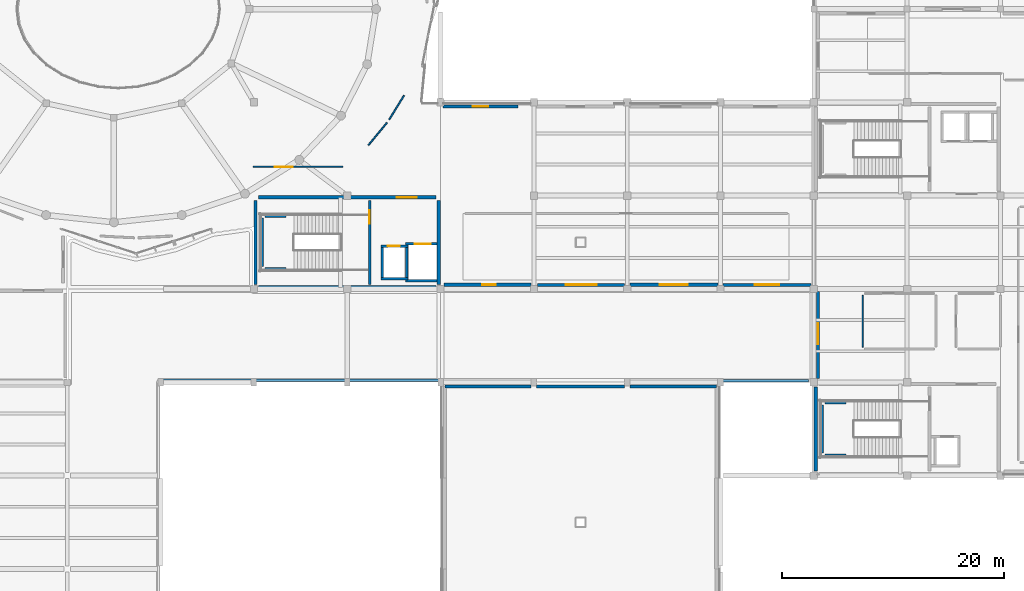
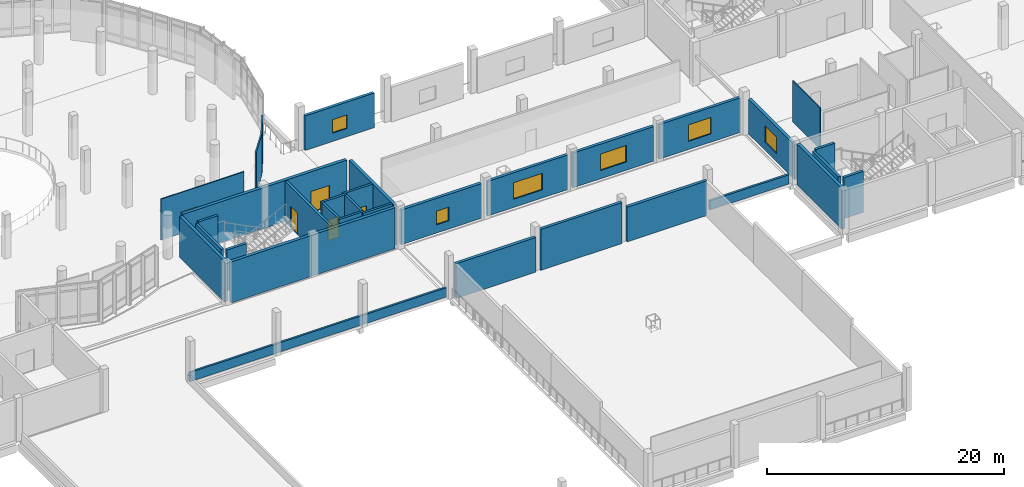
# One storey, part 28 of 46: 33 walls, 6 windows, 5 doors, 11 openings.
"""IFC4 building model written with IfcOpenShell, lengths in metres."""

from ifc_helpers import new_model, si_unit, derived_unit, direction, frame, frame_2d, origin, place, context, subcontext, project, spatial, rectangle, extrude, material, layer, layer_set, type_object, element, fill, save


model = new_model("IFC4")

# Units and contexts
model_context = context("Model", 3, precision=1e-05, world=origin(), true_north=direction((0.0, 1.0)))
body_context = subcontext(model_context, "Body", "Model", "MODEL_VIEW")
ifc_project = project(units=[si_unit("LENGTHUNIT", "METRE"), si_unit("AREAUNIT", "SQUARE_METRE"), si_unit("VOLUMEUNIT", "CUBIC_METRE"), si_unit("PLANEANGLEUNIT", "RADIAN"), si_unit("MASSUNIT", "GRAM", prefix="KILO"), derived_unit("THERMALTRANSMITTANCEUNIT", [(si_unit("POWERUNIT", "WATT"), 1), (si_unit("LENGTHUNIT", "METRE"), -2), (si_unit("THERMODYNAMICTEMPERATUREUNIT", "KELVIN"), -1)])], contexts=[model_context])

# Site, building, storey
site_placement = place(None, origin())
site = spatial("IfcSite", under=ifc_project, at=site_placement, CompositionType="ELEMENT")
building_placement = place(site_placement, origin())
building = spatial("IfcBuilding", under=site, at=building_placement, Name="Elbkamm Science Centre", CompositionType="ELEMENT")
storey_placement = place(building_placement, frame((0.0, 0.0, 9.89990234375)))
storey = spatial("IfcBuildingStorey", under=building, at=storey_placement, Name="L02", CompositionType="ELEMENT", Elevation=9.89990234375)

# Walls
ifc_material_1 = material(Name="Reinforced concrete C40/50", Category="concrete")
ifc_layer_1 = layer(ifc_material_1, 0.25)
ifc_layer_set_1 = layer_set([ifc_layer_1], Name="Reinforced concrete C40/50")
wall_type_1 = type_object("IfcWallType", Name="WL-CORE-250", PredefinedType="SHEAR", material=ifc_layer_set_1)
wall_1_placement = place(storey_placement, frame((76.340087890625, 44.02001953125, 0.0), z_axis=(0.0, 0.0, 1.0), x_axis=(0.0, 1.0, 0.0)))
element("IfcWall", 1, at=wall_1_placement, inside=storey, type_object=wall_type_1, Name="L02 ST-C2 Shaft Bearing Wall W", PredefinedType="SHEAR", context=body_context, shape_type="SweptSolid", body=[
    extrude(rectangle(XDim=4.35986328125, YDim=0.25, at=frame_2d((2.179931640625, 0.0))), origin(), (0.0, 0.0, 1.0), 4.22021484375),
])
for number, where, z_axis, x_axis, name in (
    (2, (76.590087890625, 43.820068359375, 0.0), (0.0, 0.0, 1.0), (1.0, 0.0, 0.0), "L02 ST-C2 Shaft Bearing Wall S"),
    (3, (76.590087890625, 48.580078125, 0.0), (0.0, 0.0, 1.0), (1.0, 0.0, 0.0), "L02 ST-C2 Shaft Bearing Wall N"),
):
    element("IfcWall", number, at=place(storey_placement, frame(where, z_axis=z_axis, x_axis=x_axis)), inside=storey, type_object=wall_type_1, Name=name, PredefinedType="SHEAR", context=body_context, shape_type="SweptSolid", body=[
        extrude(rectangle(XDim=1.889892578125, YDim=0.25, at=frame_2d((0.94482421875, 0.0))), origin(), (0.0, 0.0, 1.0), 4.22021484375),
    ])

# Wall, opening, door
wall_2_placement = place(storey_placement, frame((86.02001953125, 42.419921875, 0.0), z_axis=(0.0, 0.0, 1.0), x_axis=(0.0, 1.0, 0.0)))
wall_2 = element("IfcWall", 4, at=wall_2_placement, inside=storey, type_object=wall_type_1, Name="L02 C2 Stairwell Compartment Wall", PredefinedType="SHEAR", context=body_context, shape_type="SweptSolid", body=[
    extrude(rectangle(XDim=7.56005859375, YDim=0.25, at=frame_2d((3.780029296875, 0.0))), origin(), (0.0, 0.0, 1.0), 4.22021484375),
])
opening_1_placement = place(wall_2_placement, frame((5.4599609375, 0.0, 0.0)))
opening_1 = element("IfcOpeningElement", 5, at=opening_1_placement, cuts=wall_2, Name="Opening DC-02", PredefinedType="OPENING", context=body_context, shape_type="SweptSolid", body=[
    extrude(rectangle(XDim=1.199951171875, YDim=2.199951171875, at=frame_2d((0.60009765625, 1.10009765625))), frame((0.0, 0.136962890625, 0.0), z_axis=(0.0, -1.0, 0.0), x_axis=(1.0, 0.0, 0.0)), (0.0, 0.0, 1.0), 0.27392578125),
])
ifc_material_2 = material(Name="Fire-rated steel acoustic door", Category="steel")
ifc_layer_2 = layer(ifc_material_2, 0.050048828125)
ifc_layer_set_2 = layer_set([ifc_layer_2], Name="Fire-rated steel acoustic door")
door_type_1 = type_object("IfcDoorType", Name="DR-CORE-1200x2200", OperationType="NOTDEFINED", PredefinedType="DOOR", material=ifc_layer_set_2)
door_1_placement = place(opening_1_placement, origin())
door_1 = element("IfcDoor", 6, at=door_1_placement, inside=storey, type_object=door_type_1, Name="L02 ST-C2 Stairwell Fire Door", OperationType="SINGLE_SWING_LEFT", OverallHeight=2.199951171875, OverallWidth=1.199951171875, PredefinedType="DOOR", context=body_context, shape_type="SweptSolid", body=[
    extrude(rectangle(XDim=1.199951171875, YDim=2.199951171875, at=frame_2d((0.60009765625, 1.10009765625))), frame((0.0, 0.02490234375, 0.0), z_axis=(0.0, -1.0, 0.0), x_axis=(1.0, 0.0, 0.0)), (0.0, 0.0, 1.0), 0.050048828125),
])
fill(opening_1, door_1)

# Walls
wall_3_placement = place(storey_placement, frame((126.739990234375, 27.219970703125, 0.0), z_axis=(0.0, 0.0, 1.0), x_axis=(0.0, 1.0, 0.0)))
element("IfcWall", 7, at=wall_3_placement, inside=storey, type_object=wall_type_1, Name="L02 ST-C4 Shaft Bearing Wall W", PredefinedType="SHEAR", context=body_context, shape_type="SweptSolid", body=[
    extrude(rectangle(XDim=4.360107421875, YDim=0.25, at=frame_2d((2.18017578125, 0.0))), origin(), (0.0, 0.0, 1.0), 4.22021484375),
])
for number, where, z_axis, x_axis, name in (
    (8, (126.989990234375, 27.02001953125, 0.0), (0.0, 0.0, 1.0), (1.0, 0.0, 0.0), "L02 ST-C4 Shaft Bearing Wall S"),
    (9, (126.989990234375, 31.780029296875, 0.0), (0.0, 0.0, 1.0), (1.0, 0.0, 0.0), "L02 ST-C4 Shaft Bearing Wall N"),
):
    element("IfcWall", number, at=place(storey_placement, frame(where, z_axis=z_axis, x_axis=x_axis)), inside=storey, type_object=wall_type_1, Name=name, PredefinedType="SHEAR", context=body_context, shape_type="SweptSolid", body=[
        extrude(rectangle(XDim=1.889892578125, YDim=0.25, at=frame_2d((0.94482421875, 0.0))), origin(), (0.0, 0.0, 1.0), 4.22021484375),
    ])
ifc_layer_3 = layer(ifc_material_1, 0.300048828125)
ifc_layer_set_3 = layer_set([ifc_layer_3], Name="Reinforced concrete C40/50")
wall_type_2 = type_object("IfcWallType", Name="WL-CORE-300", PredefinedType="SHEAR", material=ifc_layer_set_3)
wall_4_placement = place(storey_placement, frame((76.02001953125, 42.14990234375, 0.0), z_axis=(0.0, 0.0, 1.0), x_axis=(1.0, 0.0, 0.0)))
element("IfcWall", 10, at=wall_4_placement, inside=storey, type_object=wall_type_2, Name="L02 Core C2 Central Exhibition and Skybridge Core Shear Wall S", PredefinedType="SHEAR", context=body_context, shape_type="SweptSolid", body=[
    extrude(rectangle(XDim=15.9599609375, YDim=0.300048828125, at=frame_2d((7.97998046875, 0.0))), origin(), (0.0, 0.0, 1.0), 4.22021484375),
])

# Wall, opening, door
wall_5_placement = place(storey_placement, frame((76.02001953125, 50.25, 0.0), z_axis=(0.0, 0.0, 1.0), x_axis=(1.0, 0.0, 0.0)))
wall_5 = element("IfcWall", 11, at=wall_5_placement, inside=storey, type_object=wall_type_2, Name="L02 Core C2 Central Exhibition and Skybridge Core Shear Wall N", PredefinedType="SHEAR", context=body_context, shape_type="SweptSolid", body=[
    extrude(rectangle(XDim=15.9599609375, YDim=0.300048828125, at=frame_2d((7.97998046875, 0.0))), origin(), (0.0, 0.0, 1.0), 4.22021484375),
])
opening_2_placement = place(wall_5_placement, frame((12.4599609375, 0.0, 0.0)))
opening_2 = element("IfcOpeningElement", 12, at=opening_2_placement, cuts=wall_5, Name="Opening DC-01", PredefinedType="OPENING", context=body_context, shape_type="SweptSolid", body=[
    extrude(rectangle(XDim=1.800048828125, YDim=2.199951171875, at=frame_2d((0.89990234375, 1.10009765625))), frame((0.0, 0.162109375, 0.0), z_axis=(0.0, -1.0, 0.0), x_axis=(1.0, 0.0, 0.0)), (0.0, 0.0, 1.0), 0.323974609375),
])
ifc_layer_4 = layer(ifc_material_2, 0.050048828125)
ifc_layer_set_4 = layer_set([ifc_layer_4], Name="Fire-rated steel acoustic door")
door_type_2 = type_object("IfcDoorType", Name="DR-CORE-1800x2200", OperationType="DOUBLE_DOOR_SINGLE_SWING", PredefinedType="DOOR", material=ifc_layer_set_4)
door_2_placement = place(opening_2_placement, origin())
door_2 = element("IfcDoor", 13, at=door_2_placement, inside=storey, type_object=door_type_2, Name="L02 C2 Core Lobby Fire Door", OperationType="DOUBLE_DOOR_SINGLE_SWING", OverallHeight=2.199951171875, OverallWidth=1.800048828125, PredefinedType="DOOR", context=body_context, shape_type="SweptSolid", body=[
    extrude(rectangle(XDim=1.800048828125, YDim=2.199951171875, at=frame_2d((0.89990234375, 1.10009765625))), frame((0.0, 0.02490234375, 0.0), z_axis=(0.0, -1.0, 0.0), x_axis=(1.0, 0.0, 0.0)), (0.0, 0.0, 1.0), 0.050048828125),
])
fill(opening_2, door_2)

# Walls
for number, where, z_axis, x_axis, name in (
    (14, (75.75, 42.419921875, 0.0), (0.0, 0.0, 1.0), (0.0, 1.0, 0.0), "L02 Core C2 Central Exhibition and Skybridge Core Shear Wall W"),
    (15, (92.25, 42.419921875, 0.0), (0.0, 0.0, 1.0), (0.0, 1.0, 0.0), "L02 Core C2 Central Exhibition and Skybridge Core Shear Wall E"),
):
    element("IfcWall", number, at=place(storey_placement, frame(where, z_axis=z_axis, x_axis=x_axis)), inside=storey, type_object=wall_type_2, Name=name, PredefinedType="SHEAR", context=body_context, shape_type="SweptSolid", body=[
        extrude(rectangle(XDim=7.56005859375, YDim=0.300048828125, at=frame_2d((3.780029296875, 0.0))), origin(), (0.0, 0.0, 1.0), 4.22021484375),
    ])
wall_6_placement = place(storey_placement, frame((126.179931640625, 25.6201171875, 0.0), z_axis=(0.0, 0.0, 1.0), x_axis=(0.0, 1.0, 0.0)))
element("IfcWall", 16, at=wall_6_placement, inside=storey, type_object=wall_type_2, Name="L02 Core C4 Southeast Workshops and Library Core Shear Wall W", PredefinedType="SHEAR", context=body_context, shape_type="SweptSolid", body=[
    extrude(rectangle(XDim=7.559814453125, YDim=0.300048828125, at=frame_2d((3.77978515625, 0.0))), origin(), (0.0, 0.0, 1.0), 4.22021484375),
])

# Wall, opening, window
ifc_material_3 = material(Name="White precast concrete C40/50", Category="concrete")
ifc_layer_5 = layer(ifc_material_3, 0.27001953125)
ifc_layer_set_5 = layer_set([ifc_layer_5], Name="White precast concrete C40/50")
wall_type_3 = type_object("IfcWallType", Name="WL-EXT-270", PredefinedType="SOLIDWALL", material=ifc_layer_set_5)
wall_7_placement = place(storey_placement, frame((92.63916015625, 58.419921875, 0.0), z_axis=(0.0, 0.0, 1.0), x_axis=(1.0, 0.0, 0.0)))
wall_7 = element("IfcWall", 17, at=wall_7_placement, inside=storey, type_object=wall_type_3, Name="L02 Exterior Wall 0227", PredefinedType="SOLIDWALL", context=body_context, shape_type="SweptSolid", body=[
    extrude(rectangle(XDim=6.7431640625, YDim=0.27001953125, at=frame_2d((3.37158203125, 0.0))), origin(), (0.0, 0.0, 1.0), 3.570068359375),
])
opening_3_placement = place(wall_7_placement, frame((2.671630859375, 0.0, 0.85009765625)))
opening_3 = element("IfcOpeningElement", 18, at=opening_3_placement, cuts=wall_7, Name="Opening W-02", PredefinedType="OPENING", context=body_context, shape_type="SweptSolid", body=[
    extrude(rectangle(XDim=1.39990234375, YDim=1.39990234375, at=frame_2d((0.699951171875, 0.699951171875))), frame((0.0, 0.14697265625, 0.0), z_axis=(0.0, -1.0, 0.0), x_axis=(1.0, 0.0, 0.0)), (0.0, 0.0, 1.0), 0.2939453125),
])
ifc_material_4 = material(Name="Thermally broken aluminium and triple solar glass", Category="aluminium")
ifc_layer_6 = layer(ifc_material_4, 0.06005859375)
ifc_layer_set_6 = layer_set([ifc_layer_6], Name="Thermally broken aluminium and triple solar glass")
window_type_1 = type_object("IfcWindowType", Name="WIN-1400x1400", PartitioningType="SINGLE_PANEL", PredefinedType="WINDOW", material=ifc_layer_set_6)
window_1_placement = place(opening_3_placement, origin())
window_1 = element("IfcWindow", 19, at=window_1_placement, inside=storey, type_object=window_type_1, Name="L02 Facade Window 0041", OverallHeight=1.39990234375, OverallWidth=1.39990234375, PartitioningType="SINGLE_PANEL", PredefinedType="WINDOW", context=body_context, shape_type="SweptSolid", body=[
    extrude(rectangle(XDim=1.39990234375, YDim=1.39990234375, at=frame_2d((0.699951171875, 0.699951171875))), frame((0.0, 0.030029296875, 0.0), z_axis=(0.0, -1.0, 0.0), x_axis=(1.0, 0.0, 0.0)), (0.0, 0.0, 1.0), 0.06005859375),
])
fill(opening_3, window_1)

wall_8_placement = place(storey_placement, frame((125.760986328125, 42.3798828125, 0.0), z_axis=(0.0, 0.0, 1.0), x_axis=(-1.0, 0.0, 0.0)))
wall_8 = element("IfcWall", 20, at=wall_8_placement, inside=storey, type_object=wall_type_3, Name="L02 Exterior Wall 0243", PredefinedType="SOLIDWALL", context=body_context, shape_type="SweptSolid", body=[
    extrude(rectangle(XDim=7.921875, YDim=0.27001953125, at=frame_2d((3.9609375, 0.0))), origin(), (0.0, 0.0, 1.0), 3.570068359375),
])
opening_4_placement = place(wall_8_placement, frame((2.86083984375, 0.0, 0.85009765625)))
opening_4 = element("IfcOpeningElement", 21, at=opening_4_placement, cuts=wall_8, Name="Opening W-18", PredefinedType="OPENING", context=body_context, shape_type="SweptSolid", body=[
    extrude(rectangle(XDim=2.199951171875, YDim=1.699951171875, at=frame_2d((1.10009765625, 0.85009765625))), frame((0.0, 0.14697265625, 0.0), z_axis=(0.0, -1.0, 0.0), x_axis=(1.0, 0.0, 0.0)), (0.0, 0.0, 1.0), 0.2939453125),
])
ifc_layer_7 = layer(ifc_material_4, 0.06005859375)
ifc_layer_set_7 = layer_set([ifc_layer_7], Name="Thermally broken aluminium and triple solar glass")
window_type_2 = type_object("IfcWindowType", Name="WIN-2200x1700", PartitioningType="DOUBLE_PANEL_VERTICAL", PredefinedType="WINDOW", material=ifc_layer_set_7)
window_2_placement = place(opening_4_placement, origin())
window_2 = element("IfcWindow", 22, at=window_2_placement, inside=storey, type_object=window_type_2, Name="L02 Facade Window 0057", OverallHeight=1.699951171875, OverallWidth=2.199951171875, PartitioningType="SINGLE_PANEL", PredefinedType="WINDOW", context=body_context, shape_type="SweptSolid", body=[
    extrude(rectangle(XDim=2.199951171875, YDim=1.699951171875, at=frame_2d((1.10009765625, 0.85009765625))), frame((0.0, 0.030029296875, 0.0), z_axis=(0.0, -1.0, 0.0), x_axis=(1.0, 0.0, 0.0)), (0.0, 0.0, 1.0), 0.06005859375),
])
fill(opening_4, window_2)

wall_9_placement = place(storey_placement, frame((108.9609375, 42.3798828125, 0.0), z_axis=(0.0, 0.0, 1.0), x_axis=(-1.0, 0.0, 0.0)))
wall_9 = element("IfcWall", 23, at=wall_9_placement, inside=storey, type_object=wall_type_3, Name="L02 Exterior Wall 0245", PredefinedType="SOLIDWALL", context=body_context, shape_type="SweptSolid", body=[
    extrude(rectangle(XDim=7.833984375, YDim=0.27001953125, at=frame_2d((3.9169921875, 0.0))), origin(), (0.0, 0.0, 1.0), 3.570068359375),
])
opening_5_placement = place(wall_9_placement, frame((2.48681640625, 0.0, 0.85009765625)))
opening_5 = element("IfcOpeningElement", 24, at=opening_5_placement, cuts=wall_9, Name="Opening W-20", PredefinedType="OPENING", context=body_context, shape_type="SweptSolid", body=[
    extrude(rectangle(XDim=2.800048828125, YDim=1.699951171875, at=frame_2d((1.39990234375, 0.85009765625))), frame((0.0, 0.14697265625, 0.0), z_axis=(0.0, -1.0, 0.0), x_axis=(1.0, 0.0, 0.0)), (0.0, 0.0, 1.0), 0.2939453125),
])
ifc_layer_8 = layer(ifc_material_4, 0.06005859375)
ifc_layer_set_8 = layer_set([ifc_layer_8], Name="Thermally broken aluminium and triple solar glass")
window_type_3 = type_object("IfcWindowType", Name="WIN-2800x1700", PartitioningType="DOUBLE_PANEL_VERTICAL", PredefinedType="WINDOW", material=ifc_layer_set_8)
window_3_placement = place(opening_5_placement, origin())
window_3 = element("IfcWindow", 25, at=window_3_placement, inside=storey, type_object=window_type_3, Name="L02 Facade Window 0059", OverallHeight=1.699951171875, OverallWidth=2.800048828125, PartitioningType="SINGLE_PANEL", PredefinedType="WINDOW", context=body_context, shape_type="SweptSolid", body=[
    extrude(rectangle(XDim=2.800048828125, YDim=1.699951171875, at=frame_2d((1.39990234375, 0.85009765625))), frame((0.0, 0.030029296875, 0.0), z_axis=(0.0, -1.0, 0.0), x_axis=(1.0, 0.0, 0.0)), (0.0, 0.0, 1.0), 0.06005859375),
])
fill(opening_5, window_3)

# Wall
wall_10_placement = place(storey_placement, frame((101.0390625, 33.219970703125, 0.0), z_axis=(0.0, 0.0, 1.0), x_axis=(1.0, 0.0, 0.0)))
element("IfcWall", 26, at=wall_10_placement, inside=storey, type_object=wall_type_3, Name="L02 Exterior Wall 0267", PredefinedType="SOLIDWALL", context=body_context, shape_type="SweptSolid", body=[
    extrude(rectangle(XDim=7.921875, YDim=0.27001953125, at=frame_2d((3.9609375, 0.0))), origin(), (0.0, 0.0, 1.0), 4.22021484375),
])

# Wall, opening, window
ifc_layer_9 = layer(ifc_material_3, 0.2900390625)
ifc_layer_set_9 = layer_set([ifc_layer_9], Name="White precast concrete C40/50")
wall_type_4 = type_object("IfcWallType", Name="WL-EXT-290", PredefinedType="SOLIDWALL", material=ifc_layer_set_9)
wall_11_placement = place(storey_placement, frame((126.3798828125, 33.927001953125, 0.0), z_axis=(0.0, 0.0, 1.0), x_axis=(0.0, 1.0, 0.0)))
wall_11 = element("IfcWall", 27, at=wall_11_placement, inside=storey, type_object=wall_type_4, Name="L02 Exterior Wall 0242", PredefinedType="SOLIDWALL", context=body_context, shape_type="SweptSolid", body=[
    extrude(rectangle(XDim=7.833984375, YDim=0.2900390625, at=frame_2d((3.9169921875, 0.0))), origin(), (0.0, 0.0, 1.0), 3.570068359375),
])
opening_6_placement = place(wall_11_placement, frame((3.07861328125, 0.0, 0.85009765625)))
opening_6 = element("IfcOpeningElement", 28, at=opening_6_placement, cuts=wall_11, Name="Opening W-17", PredefinedType="OPENING", context=body_context, shape_type="SweptSolid", body=[
    extrude(rectangle(XDim=1.89990234375, YDim=1.699951171875, at=frame_2d((0.949951171875, 0.85009765625))), frame((0.0, 0.156982421875, 0.0), z_axis=(0.0, -1.0, 0.0), x_axis=(1.0, 0.0, 0.0)), (0.0, 0.0, 1.0), 0.31396484375),
])
ifc_layer_10 = layer(ifc_material_4, 0.06005859375)
ifc_layer_set_10 = layer_set([ifc_layer_10], Name="Thermally broken aluminium and triple solar glass")
window_type_4 = type_object("IfcWindowType", Name="WIN-1900x1700", PartitioningType="DOUBLE_PANEL_VERTICAL", PredefinedType="WINDOW", material=ifc_layer_set_10)
window_4_placement = place(opening_6_placement, origin())
window_4 = element("IfcWindow", 29, at=window_4_placement, inside=storey, type_object=window_type_4, Name="L02 Facade Window 0056", OverallHeight=1.699951171875, OverallWidth=1.89990234375, PartitioningType="SINGLE_PANEL", PredefinedType="WINDOW", context=body_context, shape_type="SweptSolid", body=[
    extrude(rectangle(XDim=1.89990234375, YDim=1.699951171875, at=frame_2d((0.949951171875, 0.85009765625))), frame((0.0, 0.030029296875, 0.0), z_axis=(0.0, -1.0, 0.0), x_axis=(1.0, 0.0, 0.0)), (0.0, 0.0, 1.0), 0.06005859375),
])
fill(opening_6, window_4)

wall_12_placement = place(storey_placement, frame((117.36083984375, 42.3798828125, 0.0), z_axis=(0.0, 0.0, 1.0), x_axis=(-1.0, 0.0, 0.0)))
wall_12 = element("IfcWall", 30, at=wall_12_placement, inside=storey, type_object=wall_type_4, Name="L02 Exterior Wall 0244", PredefinedType="SOLIDWALL", context=body_context, shape_type="SweptSolid", body=[
    extrude(rectangle(XDim=7.921630859375, YDim=0.2900390625, at=frame_2d((3.9609375, 0.0))), origin(), (0.0, 0.0, 1.0), 3.570068359375),
])
opening_7_placement = place(wall_12_placement, frame((2.7109375, 0.0, 0.85009765625)))
opening_7 = element("IfcOpeningElement", 31, at=opening_7_placement, cuts=wall_12, Name="Opening W-19", PredefinedType="OPENING", context=body_context, shape_type="SweptSolid", body=[
    extrude(rectangle(XDim=2.5, YDim=1.699951171875, at=frame_2d((1.25, 0.85009765625))), frame((0.0, 0.156982421875, 0.0), z_axis=(0.0, -1.0, 0.0), x_axis=(1.0, 0.0, 0.0)), (0.0, 0.0, 1.0), 0.31396484375),
])
ifc_layer_11 = layer(ifc_material_4, 0.06005859375)
ifc_layer_set_11 = layer_set([ifc_layer_11], Name="Thermally broken aluminium and triple solar glass")
window_type_5 = type_object("IfcWindowType", Name="WIN-2500x1700", PartitioningType="DOUBLE_PANEL_VERTICAL", PredefinedType="WINDOW", material=ifc_layer_set_11)
window_5_placement = place(opening_7_placement, origin())
window_5 = element("IfcWindow", 32, at=window_5_placement, inside=storey, type_object=window_type_5, Name="L02 Facade Window 0058", OverallHeight=1.699951171875, OverallWidth=2.5, PartitioningType="SINGLE_PANEL", PredefinedType="WINDOW", context=body_context, shape_type="SweptSolid", body=[
    extrude(rectangle(XDim=2.5, YDim=1.699951171875, at=frame_2d((1.25, 0.85009765625))), frame((0.0, 0.030029296875, 0.0), z_axis=(0.0, -1.0, 0.0), x_axis=(1.0, 0.0, 0.0)), (0.0, 0.0, 1.0), 0.06005859375),
])
fill(opening_7, window_5)

wall_13_placement = place(storey_placement, frame((100.560791015625, 42.3798828125, 0.0), z_axis=(0.0, 0.0, 1.0), x_axis=(-1.0, 0.0, 0.0)))
wall_13 = element("IfcWall", 33, at=wall_13_placement, inside=storey, type_object=wall_type_4, Name="L02 Exterior Wall 0246", PredefinedType="SOLIDWALL", context=body_context, shape_type="SweptSolid", body=[
    extrude(rectangle(XDim=7.833740234375, YDim=0.2900390625, at=frame_2d((3.9169921875, 0.0))), origin(), (0.0, 0.0, 1.0), 3.570068359375),
])
opening_8_placement = place(wall_13_placement, frame((3.20556640625, 0.0, 0.85009765625)))
opening_8 = element("IfcOpeningElement", 34, at=opening_8_placement, cuts=wall_13, Name="Opening W-01", PredefinedType="OPENING", context=body_context, shape_type="SweptSolid", body=[
    extrude(rectangle(XDim=1.199951171875, YDim=1.39990234375, at=frame_2d((0.60009765625, 0.699951171875))), frame((0.0, 0.156982421875, 0.0), z_axis=(0.0, -1.0, 0.0), x_axis=(1.0, 0.0, 0.0)), (0.0, 0.0, 1.0), 0.31396484375),
])
ifc_layer_12 = layer(ifc_material_4, 0.06005859375)
ifc_layer_set_12 = layer_set([ifc_layer_12], Name="Thermally broken aluminium and triple solar glass")
window_type_6 = type_object("IfcWindowType", Name="WIN-1200x1400", PartitioningType="SINGLE_PANEL", PredefinedType="WINDOW", material=ifc_layer_set_12)
window_6_placement = place(opening_8_placement, origin())
window_6 = element("IfcWindow", 35, at=window_6_placement, inside=storey, type_object=window_type_6, Name="L02 Facade Window 0060", OverallHeight=1.39990234375, OverallWidth=1.199951171875, PartitioningType="SINGLE_PANEL", PredefinedType="WINDOW", context=body_context, shape_type="SweptSolid", body=[
    extrude(rectangle(XDim=1.199951171875, YDim=1.39990234375, at=frame_2d((0.60009765625, 0.699951171875))), frame((0.0, 0.030029296875, 0.0), z_axis=(0.0, -1.0, 0.0), x_axis=(1.0, 0.0, 0.0)), (0.0, 0.0, 1.0), 0.06005859375),
])
fill(opening_8, window_6)

# Walls
for number, where, z_axis, x_axis, name in (
    (36, (92.780029296875, 33.219970703125, 0.0), (0.0, 0.0, 1.0), (1.0, 0.0, 0.0), "L02 Exterior Wall 0266"),
    (37, (109.439208984375, 33.219970703125, 0.0), (0.0, 0.0, 1.0), (1.0, 0.0, 0.0), "L02 Exterior Wall 0268"),
):
    element("IfcWall", number, at=place(storey_placement, frame(where, z_axis=z_axis, x_axis=x_axis)), inside=storey, type_object=wall_type_4, Name=name, PredefinedType="SOLIDWALL", context=body_context, shape_type="SweptSolid", body=[
        extrude(rectangle(XDim=7.78076171875, YDim=0.2900390625, at=frame_2d((3.890380859375, 0.0))), origin(), (0.0, 0.0, 1.0), 3.570068359375),
    ])
ifc_layer_13 = layer(ifc_material_3, 0.18994140625)
ifc_layer_set_13 = layer_set([ifc_layer_13], Name="White precast concrete C40/50")
wall_type_5 = type_object("IfcWallType", Name="WL-PAR-190", PredefinedType="PARAPET", material=ifc_layer_set_13)
wall_14_placement = place(storey_placement, frame((92.260009765625, 33.7900390625, 0.0), z_axis=(0.0, 0.0, 1.0), x_axis=(-1.0, 0.0, 0.0)))
element("IfcWall", 38, at=wall_14_placement, inside=storey, type_object=wall_type_5, Name="L02 Roof Parapet Wall 035", PredefinedType="PARAPET", context=body_context, shape_type="SweptSolid", body=[
    extrude(rectangle(XDim=25.06005859375, YDim=0.18994140625, at=frame_2d((12.530029296875, 0.0))), origin(), (0.0, 0.0, 1.0), 0.9501953125),
])
ifc_layer_14 = layer(ifc_material_3, 0.2099609375)
ifc_layer_set_14 = layer_set([ifc_layer_14], Name="White precast concrete C40/50")
wall_type_6 = type_object("IfcWallType", Name="WL-PAR-210", PredefinedType="PARAPET", material=ifc_layer_set_14)
wall_15_placement = place(storey_placement, frame((125.5166015625, 33.739990234375, 0.0), z_axis=(0.0, 0.0, 1.0), x_axis=(-1.0, 0.0, 0.0)))
element("IfcWall", 39, at=wall_15_placement, inside=storey, type_object=wall_type_6, Name="L02 Roof Parapet Wall 038", PredefinedType="PARAPET", context=body_context, shape_type="SweptSolid", body=[
    extrude(rectangle(XDim=7.69580078125, YDim=0.2099609375, at=frame_2d((3.847900390625, 0.0))), origin(), (0.0, 0.0, 1.0), 0.9501953125),
])

# Wall, opening, door
ifc_material_5 = material(Name="Drywall service partition", Category="gypsum")
ifc_layer_15 = layer(ifc_material_5, 0.10009765625)
ifc_layer_set_15 = layer_set([ifc_layer_15], Name="Drywall service partition")
wall_type_7 = type_object("IfcWallType", Name="WL-PART-100", PredefinedType="PARTITIONING", material=ifc_layer_set_15)
wall_16_placement = place(storey_placement, frame((83.618896484375, 53.0, 0.0), z_axis=(0.0, 0.0, 1.0), x_axis=(-1.0, 0.0, 0.0)))
wall_16 = element("IfcWall", 40, at=wall_16_placement, inside=storey, type_object=wall_type_7, Name="L02 Earth and Climate Exhibition Hall Partition 0163", PredefinedType="PARTITIONING", context=body_context, shape_type="SweptSolid", body=[
    extrude(rectangle(XDim=8.0888671875, YDim=0.10009765625, at=frame_2d((4.04443359375, 0.0))), origin(), (0.0, 0.0, 1.0), 4.22021484375),
])
opening_9_placement = place(wall_16_placement, frame((4.538818359375, 0.0, 0.0)))
opening_9 = element("IfcOpeningElement", 41, at=opening_9_placement, cuts=wall_16, Name="Opening DI-02", PredefinedType="OPENING", context=body_context, shape_type="SweptSolid", body=[
    extrude(rectangle(XDim=1.60009765625, YDim=2.199951171875, at=frame_2d((0.800048828125, 1.10009765625))), frame((0.0, 0.06201171875, 0.0), z_axis=(0.0, -1.0, 0.0), x_axis=(1.0, 0.0, 0.0)), (0.0, 0.0, 1.0), 0.1240234375),
])
ifc_material_6 = material(Name="Acoustic oak veneer and safety glass door", Category="glass")
ifc_layer_16 = layer(ifc_material_6, 0.050048828125)
ifc_layer_set_16 = layer_set([ifc_layer_16], Name="Acoustic oak veneer and safety glass door")
door_type_3 = type_object("IfcDoorType", Name="DR-INT-1600x2200", OperationType="DOUBLE_DOOR_SINGLE_SWING", PredefinedType="DOOR", material=ifc_layer_set_16)
door_3_placement = place(opening_9_placement, origin())
door_3 = element("IfcDoor", 42, at=door_3_placement, inside=storey, type_object=door_type_3, Name="L02 Earth and Climate Exhibition Hall Door", OperationType="DOUBLE_DOOR_SINGLE_SWING", OverallHeight=2.199951171875, OverallWidth=1.60009765625, PredefinedType="DOOR", context=body_context, shape_type="SweptSolid", body=[
    extrude(rectangle(XDim=1.60009765625, YDim=2.199951171875, at=frame_2d((0.800048828125, 1.10009765625))), frame((0.0, 0.02490234375, 0.0), z_axis=(0.0, -1.0, 0.0), x_axis=(1.0, 0.0, 0.0)), (0.0, 0.0, 1.0), 0.050048828125),
])
fill(opening_9, door_3)

# Walls
ifc_material_7 = material(Name="Lightweight metal-stud gypsum partition", Category="gypsum")
ifc_layer_17 = layer(ifc_material_7, 0.125)
ifc_layer_set_17 = layer_set([ifc_layer_17], Name="Lightweight metal-stud gypsum partition")
wall_type_8 = type_object("IfcWallType", Name="WL-PART-125", PredefinedType="PARTITIONING", material=ifc_layer_set_17)
wall_17_placement = place(storey_placement, frame((87.57470703125, 56.961669921875, 0.0), z_axis=(0.0, 0.0, 1.0), x_axis=(-0.64036815095, -0.768068116282, 0.0)))
element("IfcWall", 43, at=wall_17_placement, inside=storey, type_object=wall_type_8, Name="L02 Earth and Climate Exhibition Hall Partition 0162", PredefinedType="PARTITIONING", context=body_context, shape_type="SweptSolid", body=[
    extrude(rectangle(XDim=2.613525390625, YDim=0.125, at=frame_2d((1.306640625, 0.0))), origin(), (0.0, 0.0, 1.0), 4.22021484375),
])
wall_18_placement = place(storey_placement, frame((130.39990234375, 36.780029296875, 0.0), z_axis=(0.0, 0.0, 1.0), x_axis=(0.0, 1.0, 0.0)))
element("IfcWall", 44, at=wall_18_placement, inside=storey, type_object=wall_type_8, Name="L02 Public Washrooms L02 Partition 0190", PredefinedType="PARTITIONING", context=body_context, shape_type="SweptSolid", body=[
    extrude(rectangle(XDim=4.639892578125, YDim=0.125, at=frame_2d((2.31982421875, 0.0))), origin(), (0.0, 0.0, 1.0), 4.22021484375),
])
ifc_material_8 = material(Name="Acoustic metal-stud gypsum partition", Category="gypsum")
ifc_layer_18 = layer(ifc_material_8, 0.139892578125)
ifc_layer_set_18 = layer_set([ifc_layer_18], Name="Acoustic metal-stud gypsum partition")
wall_type_9 = type_object("IfcWallType", Name="WL-PART-140", PredefinedType="PARTITIONING", material=ifc_layer_set_18)
wall_19_placement = place(storey_placement, frame((89.111328125, 59.410400390625, 0.0), z_axis=(0.0, 0.0, 1.0), x_axis=(-0.524032881364, -0.851698032902, 0.0)))
element("IfcWall", 45, at=wall_19_placement, inside=storey, type_object=wall_type_9, Name="L02 Earth and Climate Exhibition Hall Partition 0161", PredefinedType="PARTITIONING", context=body_context, shape_type="SweptSolid", body=[
    extrude(rectangle(XDim=2.532470703125, YDim=0.139892578125, at=frame_2d((1.26611328125, 0.0))), origin(), (0.0, 0.0, 1.0), 4.22021484375),
])
ifc_layer_19 = layer(ifc_material_1, 0.219970703125)
ifc_layer_set_19 = layer_set([ifc_layer_19], Name="Reinforced concrete C40/50")
wall_type_10 = type_object("IfcWallType", Name="WL-SHAFT-220", PredefinedType="SOLIDWALL", material=ifc_layer_set_19)
wall_20_placement = place(storey_placement, frame((87.139892578125, 43.050048828125, 0.0), z_axis=(0.0, 0.0, 1.0), x_axis=(0.0, 1.0, 0.0)))
element("IfcWall", 46, at=wall_20_placement, inside=storey, type_object=wall_type_10, Name="L02 Lift FF2 Shaft West Wall", PredefinedType="SOLIDWALL", context=body_context, shape_type="SweptSolid", body=[
    extrude(rectangle(XDim=2.699951171875, YDim=0.219970703125, at=frame_2d((1.35009765625, 0.0))), origin(), (0.0, 0.0, 1.0), 4.22021484375),
])
wall_21_placement = place(storey_placement, frame((87.030029296875, 42.93994140625, 0.0), z_axis=(0.0, 0.0, 1.0), x_axis=(1.0, 0.0, 0.0)))
element("IfcWall", 47, at=wall_21_placement, inside=storey, type_object=wall_type_10, Name="L02 Lift FF2 Shaft Back Wall", PredefinedType="SOLIDWALL", context=body_context, shape_type="SweptSolid", body=[
    extrude(rectangle(XDim=2.429931640625, YDim=0.219970703125, at=frame_2d((1.21484375, 0.0))), origin(), (0.0, 0.0, 1.0), 4.22021484375),
])

# Wall, opening, door
wall_22_placement = place(storey_placement, frame((87.030029296875, 45.860107421875, 0.0), z_axis=(0.0, 0.0, 1.0), x_axis=(1.0, 0.0, 0.0)))
wall_22 = element("IfcWall", 48, at=wall_22_placement, inside=storey, type_object=wall_type_10, Name="L02 Lift FF2 Shaft Front Wall", PredefinedType="SOLIDWALL", context=body_context, shape_type="SweptSolid", body=[
    extrude(rectangle(XDim=2.429931640625, YDim=0.219970703125, at=frame_2d((1.21484375, 0.0))), origin(), (0.0, 0.0, 1.0), 4.22021484375),
])
opening_10_placement = place(wall_22_placement, frame((0.6201171875, 0.0, 0.0)))
opening_10 = element("IfcOpeningElement", 49, at=opening_10_placement, cuts=wall_22, Name="Opening LD-01", PredefinedType="OPENING", context=body_context, shape_type="SweptSolid", body=[
    extrude(rectangle(XDim=1.10009765625, YDim=2.14990234375, at=frame_2d((0.550048828125, 1.074951171875))), frame((0.0, 0.1220703125, 0.0), z_axis=(0.0, -1.0, 0.0), x_axis=(1.0, 0.0, 0.0)), (0.0, 0.0, 1.0), 0.243896484375),
])
ifc_material_9 = material(Name="Stainless steel lift landing door", Category="steel")
ifc_layer_20 = layer(ifc_material_9, 0.050048828125)
ifc_layer_set_20 = layer_set([ifc_layer_20], Name="Stainless steel lift landing door")
door_type_4 = type_object("IfcDoorType", Name="DR-LIFT-1100x2150", OperationType="DOUBLE_DOOR_SLIDING", PredefinedType="DOOR", material=ifc_layer_set_20)
door_4_placement = place(opening_10_placement, origin())
door_4 = element("IfcDoor", 50, at=door_4_placement, inside=storey, type_object=door_type_4, Name="L02 Lift FF2 Sliding Landing Door", OperationType="DOUBLE_DOOR_SLIDING", OverallHeight=2.14990234375, OverallWidth=1.10009765625, PredefinedType="DOOR", context=body_context, shape_type="SweptSolid", body=[
    extrude(rectangle(XDim=1.10009765625, YDim=2.14990234375, at=frame_2d((0.550048828125, 1.074951171875))), frame((0.0, 0.02490234375, 0.0), z_axis=(0.0, -1.0, 0.0), x_axis=(1.0, 0.0, 0.0)), (0.0, 0.0, 1.0), 0.050048828125),
])
fill(opening_10, door_4)

# Walls
wall_23_placement = place(storey_placement, frame((89.35009765625, 42.85009765625, 0.0), z_axis=(0.0, 0.0, 1.0), x_axis=(0.0, 1.0, 0.0)))
element("IfcWall", 51, at=wall_23_placement, inside=storey, type_object=wall_type_10, Name="L02 Lift GL1 Shaft Divider Wall", PredefinedType="SOLIDWALL", context=body_context, shape_type="SweptSolid", body=[
    extrude(rectangle(XDim=3.099853515625, YDim=0.219970703125, at=frame_2d((1.5498046875, 0.0))), origin(), (0.0, 0.0, 1.0), 4.22021484375),
])
wall_24_placement = place(storey_placement, frame((89.239990234375, 42.739990234375, 0.0), z_axis=(0.0, 0.0, 1.0), x_axis=(1.0, 0.0, 0.0)))
element("IfcWall", 52, at=wall_24_placement, inside=storey, type_object=wall_type_10, Name="L02 Lift GL1 Shaft Back Wall", PredefinedType="SOLIDWALL", context=body_context, shape_type="SweptSolid", body=[
    extrude(rectangle(XDim=2.860107421875, YDim=0.219970703125, at=frame_2d((1.43017578125, 0.0))), origin(), (0.0, 0.0, 1.0), 4.22021484375),
])

# Wall, opening, door
wall_25_placement = place(storey_placement, frame((89.239990234375, 46.06005859375, 0.0), z_axis=(0.0, 0.0, 1.0), x_axis=(1.0, 0.0, 0.0)))
wall_25 = element("IfcWall", 53, at=wall_25_placement, inside=storey, type_object=wall_type_10, Name="L02 Lift GL1 Shaft Front Wall", PredefinedType="SOLIDWALL", context=body_context, shape_type="SweptSolid", body=[
    extrude(rectangle(XDim=2.860107421875, YDim=0.219970703125, at=frame_2d((1.43017578125, 0.0))), origin(), (0.0, 0.0, 1.0), 4.22021484375),
])
opening_11_placement = place(wall_25_placement, frame((0.860107421875, 0.0, 0.0)))
opening_11 = element("IfcOpeningElement", 54, at=opening_11_placement, cuts=wall_25, Name="Opening LD-02", PredefinedType="OPENING", context=body_context, shape_type="SweptSolid", body=[
    extrude(rectangle(XDim=1.39990234375, YDim=2.199951171875, at=frame_2d((0.699951171875, 1.10009765625))), frame((0.0, 0.1220703125, 0.0), z_axis=(0.0, -1.0, 0.0), x_axis=(1.0, 0.0, 0.0)), (0.0, 0.0, 1.0), 0.243896484375),
])
ifc_material_10 = material(Name="Stainless steel freight lift landing door", Category="steel")
ifc_layer_21 = layer(ifc_material_10, 0.050048828125)
ifc_layer_set_21 = layer_set([ifc_layer_21], Name="Stainless steel freight lift landing door")
door_type_5 = type_object("IfcDoorType", Name="DR-LIFT-1400x2200", OperationType="DOUBLE_DOOR_SLIDING", PredefinedType="DOOR", material=ifc_layer_set_21)
door_5_placement = place(opening_11_placement, origin())
door_5 = element("IfcDoor", 55, at=door_5_placement, inside=storey, type_object=door_type_5, Name="L02 Lift GL1 Sliding Landing Door", OperationType="DOUBLE_DOOR_SLIDING", OverallHeight=2.199951171875, OverallWidth=1.39990234375, PredefinedType="DOOR", context=body_context, shape_type="SweptSolid", body=[
    extrude(rectangle(XDim=1.39990234375, YDim=2.199951171875, at=frame_2d((0.699951171875, 1.10009765625))), frame((0.0, 0.02490234375, 0.0), z_axis=(0.0, -1.0, 0.0), x_axis=(1.0, 0.0, 0.0)), (0.0, 0.0, 1.0), 0.050048828125),
])
fill(opening_11, door_5)

save(model, "model.ifc")
